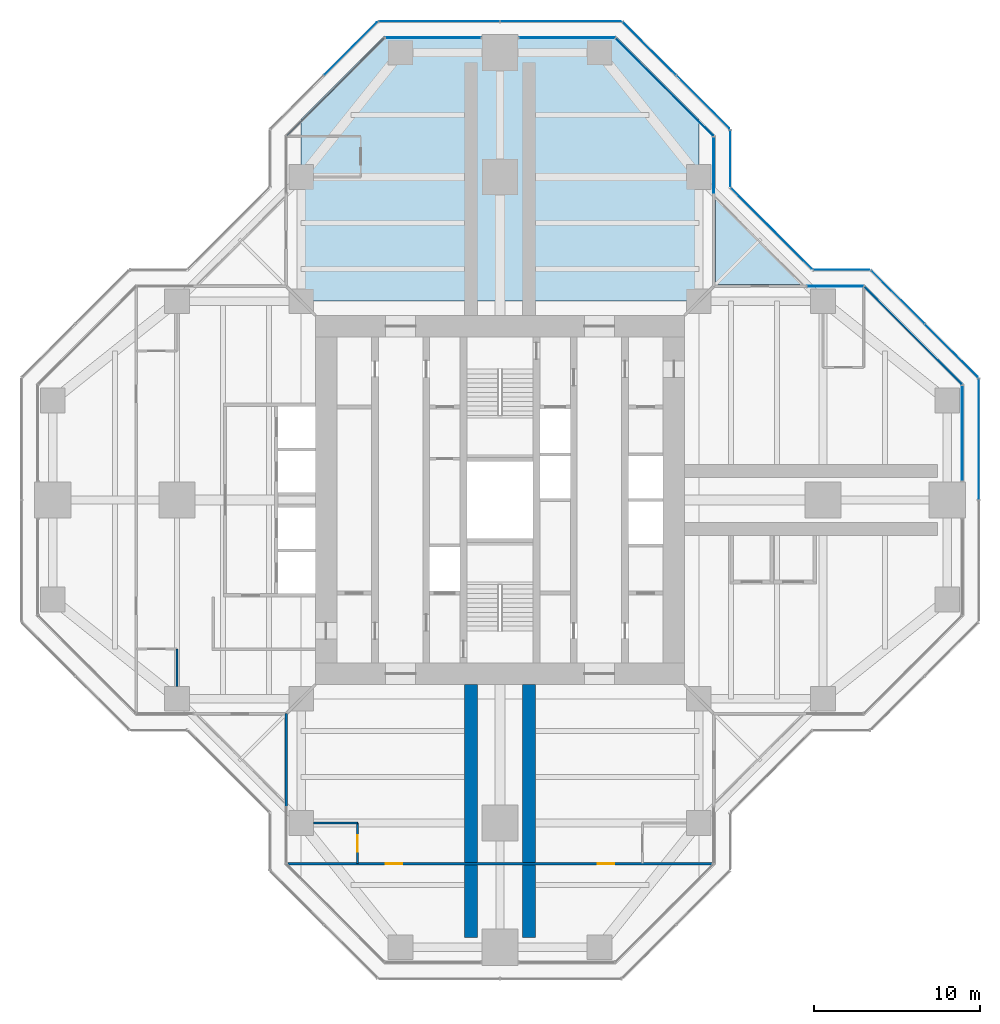
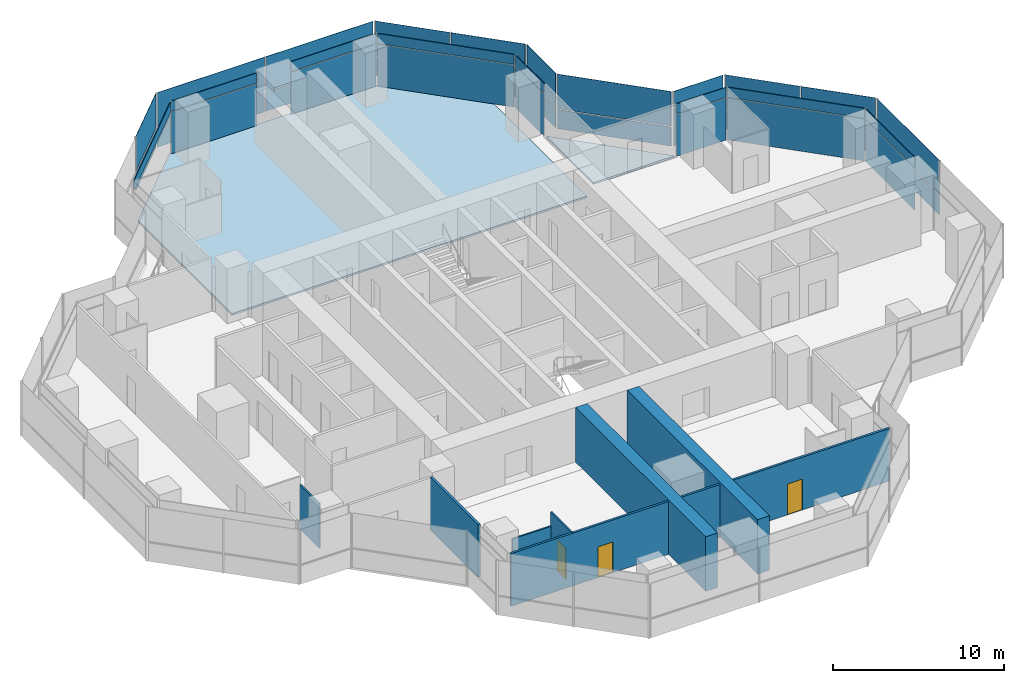
# One storey, part 12 of 17: 37 plates, 7 walls, 3 doors, 2 slabs, 3 openings, 16 elements without a shape of their own.
"""IFC4 building model written with IfcOpenShell, lengths in metres."""

from ifc_helpers import new_model, si_unit, direction, frame, frame_2d, origin, origin_2d, place, context, subcontext, project, spatial, polyline, rectangle, outline, extrude, material, layer, layer_set, type_object, element, fill, aggregate, save


model = new_model("IFC4")

# Units and contexts
model_context = context("Model", 3, precision=1e-05, world=origin(), true_north=direction((0.0, 1.0)))
body_context = subcontext(model_context, "Body", "Model", "MODEL_VIEW")
ifc_project = project(units=[si_unit("LENGTHUNIT", "METRE"), si_unit("AREAUNIT", "SQUARE_METRE"), si_unit("VOLUMEUNIT", "CUBIC_METRE"), si_unit("PLANEANGLEUNIT", "RADIAN"), si_unit("MASSUNIT", "GRAM", prefix="KILO")], contexts=[model_context])

# Site, building, storey
site_placement = place(None, origin())
site = spatial("IfcSite", under=ifc_project, at=site_placement, CompositionType="ELEMENT")
building_placement = place(site_placement, origin())
building = spatial("IfcBuilding", under=site, at=building_placement, Name="Mizan Broadcast Tower", CompositionType="ELEMENT")
storey_placement = place(building_placement, frame((0.0, 0.0, 243.89990234375)))
storey = spatial("IfcBuildingStorey", under=building, at=storey_placement, Name="L57", CompositionType="ELEMENT", Elevation=243.89990234375)

# Slab
ifc_material_1 = material(Name="Concrete C32/40", Category="concrete")
ifc_layer_1 = layer(ifc_material_1, 0.1298828125)
ifc_layer_set_1 = layer_set([ifc_layer_1], Name="Concrete C32/40")
slab_type_1 = type_object("IfcSlabType", Name="COMPOSITE DECK SLAB 130", PredefinedType="FLOOR", material=ifc_layer_set_1)
slab_1_placement = place(storey_placement, frame((0.0, 0.0, -0.1298828125)))
element("IfcSlab", 1, at=slab_1_placement, inside=storey, type_object=slab_type_1, Name="Floor slab L57 north arm", PredefinedType="FLOOR", context=body_context, shape_type="SweptSolid", body=[
    extrude(outline(polyline([(-7.0, 28.0), (-12.0, 23.0), (-12.0, 12.0), (12.0, 12.0), (12.0, 23.0), (7.0, 28.0), (-7.0, 28.0)])), origin(), (0.0, 0.0, 1.0), 0.1298828125),
])

# Curtain wall, plate
ifc_material_2 = material(Name="Aluminium framed glazing", Category="aluminium")
curtain_wall_type_1 = type_object("IfcCurtainWallType", Name="INNER SKIN HIGH ZONE", PredefinedType="USERDEFINED", material=ifc_material_2)
curtain_wall_1_placement = place(storey_placement, origin())
curtain_wall_1 = element("IfcCurtainWall", 2, at=curtain_wall_1_placement, inside=storey, type_object=curtain_wall_type_1, Name="Inner skin high zone L57 E end", ObjectType="INNER SKIN HIGH ZONE", PredefinedType="USERDEFINED")
ifc_material_3 = material(Name="Double glazing, clear low-e", Category="glass")
ifc_layer_2 = layer(ifc_material_3, 0.028076171875)
ifc_layer_set_2 = layer_set([ifc_layer_2], Name="Double glazing, clear low-e")
plate_type_1 = type_object("IfcPlateType", Name="INNER SKIN GLAZING UNIT", PredefinedType="CURTAIN_PANEL", material=ifc_layer_set_2)
plate_1_placement = place(storey_placement, frame((27.89990234375, 4.029296875, 0.0), z_axis=(0.0, 0.0, 1.0), x_axis=(0.0, 1.0, 0.0)))
plate_1 = element("IfcPlate", 3, at=plate_1_placement, type_object=plate_type_1, Name="Inner skin high zone L57 E end panel 1.1", PredefinedType="CURTAIN_PANEL", context=body_context, shape_type="SweptSolid", body=[
    extrude(rectangle(XDim=5.738525390625, YDim=0.028076171875, at=origin_2d()), origin(), (0.0, 0.0, 1.0), 3.0),
])

curtain_wall_2_placement = place(storey_placement, origin())
curtain_wall_2 = element("IfcCurtainWall", 4, at=curtain_wall_2_placement, inside=storey, type_object=curtain_wall_type_1, Name="Inner skin high zone L57 E chamfer", ObjectType="INNER SKIN HIGH ZONE", PredefinedType="USERDEFINED")
plate_2_placement = place(storey_placement, frame((24.92919921875, 9.92919921875, 0.0), z_axis=(0.0, 0.0, 1.0), x_axis=(-0.707106781187, 0.707106781187, 0.0)))
plate_2 = element("IfcPlate", 5, at=plate_2_placement, type_object=plate_type_1, Name="Inner skin high zone L57 E chamfer panel 1.1", PredefinedType="CURTAIN_PANEL", context=body_context, shape_type="SweptSolid", body=[
    extrude(rectangle(XDim=8.282470703125, YDim=0.028076171875, at=origin_2d()), origin(), (0.0, 0.0, 1.0), 3.0),
])

curtain_wall_3_placement = place(storey_placement, origin())
curtain_wall_3 = element("IfcCurtainWall", 6, at=curtain_wall_3_placement, inside=storey, type_object=curtain_wall_type_1, Name="Inner skin high zone L57 E side", ObjectType="INNER SKIN HIGH ZONE", PredefinedType="USERDEFINED")
plate_3_placement = place(storey_placement, frame((20.229248046875, 12.89990234375, 0.0), z_axis=(0.0, 0.0, 1.0), x_axis=(-1.0, 0.0, 0.0)))
plate_3 = element("IfcPlate", 7, at=plate_3_placement, type_object=plate_type_1, Name="Inner skin high zone L57 E side panel 1.1", PredefinedType="CURTAIN_PANEL", context=body_context, shape_type="SweptSolid", body=[
    extrude(rectangle(XDim=3.338623046875, YDim=0.028076171875, at=origin_2d()), origin(), (0.0, 0.0, 1.0), 3.0),
])

curtain_wall_4_placement = place(storey_placement, origin())
curtain_wall_4 = element("IfcCurtainWall", 8, at=curtain_wall_4_placement, inside=storey, type_object=curtain_wall_type_1, Name="Inner skin high zone L57 N side", ObjectType="INNER SKIN HIGH ZONE", PredefinedType="USERDEFINED")
plate_4_placement = place(storey_placement, frame((12.89990234375, 20.229248046875, 0.0), z_axis=(0.0, 0.0, 1.0), x_axis=(0.0, 1.0, 0.0)))
plate_4 = element("IfcPlate", 9, at=plate_4_placement, type_object=plate_type_1, Name="Inner skin high zone L57 N side panel 1.1", PredefinedType="CURTAIN_PANEL", context=body_context, shape_type="SweptSolid", body=[
    extrude(rectangle(XDim=3.338623046875, YDim=0.028076171875, at=origin_2d()), origin(), (0.0, 0.0, 1.0), 3.0),
])

curtain_wall_5_placement = place(storey_placement, origin())
curtain_wall_5 = element("IfcCurtainWall", 10, at=curtain_wall_5_placement, inside=storey, type_object=curtain_wall_type_1, Name="Inner skin high zone L57 N chamfer", ObjectType="INNER SKIN HIGH ZONE", PredefinedType="USERDEFINED")
plate_5_placement = place(storey_placement, frame((9.92919921875, 24.92919921875, 0.0), z_axis=(0.0, 0.0, 1.0), x_axis=(-0.707106781187, 0.707106781187, 0.0)))
plate_5 = element("IfcPlate", 11, at=plate_5_placement, type_object=plate_type_1, Name="Inner skin high zone L57 N chamfer panel 1.1", PredefinedType="CURTAIN_PANEL", context=body_context, shape_type="SweptSolid", body=[
    extrude(rectangle(XDim=8.282470703125, YDim=0.028076171875, at=origin_2d()), origin(), (0.0, 0.0, 1.0), 3.0),
])

curtain_wall_6_placement = place(storey_placement, origin())
curtain_wall_6 = element("IfcCurtainWall", 12, at=curtain_wall_6_placement, inside=storey, type_object=curtain_wall_type_1, Name="Inner skin high zone L57 N end", ObjectType="INNER SKIN HIGH ZONE", PredefinedType="USERDEFINED")
plate_6_placement = place(storey_placement, frame((4.029296875, 27.89990234375, 0.0), z_axis=(0.0, 0.0, 1.0), x_axis=(-1.0, 0.0, 0.0)))
plate_6 = element("IfcPlate", 13, at=plate_6_placement, type_object=plate_type_1, Name="Inner skin high zone L57 N end panel 1.1", PredefinedType="CURTAIN_PANEL", context=body_context, shape_type="SweptSolid", body=[
    extrude(rectangle(XDim=5.738525390625, YDim=0.028076171875, at=origin_2d()), origin(), (0.0, 0.0, 1.0), 3.0),
])

curtain_wall_7_placement = place(storey_placement, origin())
curtain_wall_7 = element("IfcCurtainWall", 14, at=curtain_wall_7_placement, inside=storey, type_object=curtain_wall_type_1, Name="Inner skin high zone L57 N end", ObjectType="INNER SKIN HIGH ZONE", PredefinedType="USERDEFINED")
plate_7_placement = place(storey_placement, frame((-4.029296875, 27.89990234375, 0.0), z_axis=(0.0, 0.0, 1.0), x_axis=(-1.0, 0.0, 0.0)))
plate_7 = element("IfcPlate", 15, at=plate_7_placement, type_object=plate_type_1, Name="Inner skin high zone L57 N end panel 1.1", PredefinedType="CURTAIN_PANEL", context=body_context, shape_type="SweptSolid", body=[
    extrude(rectangle(XDim=5.738525390625, YDim=0.028076171875, at=origin_2d()), origin(), (0.0, 0.0, 1.0), 3.0),
])

# Plate
ifc_material_4 = material(Name="Insulated aluminium spandrel panel, pale anodised", Category="aluminium")
ifc_layer_3 = layer(ifc_material_4, 0.050048828125)
ifc_layer_set_3 = layer_set([ifc_layer_3], Name="Insulated aluminium spandrel panel, pale anodised")
plate_type_2 = type_object("IfcPlateType", Name="INNER SKIN SPANDREL PANEL", PredefinedType="CURTAIN_PANEL", material=ifc_layer_set_3)
plate_8_placement = place(storey_placement, frame((27.89990234375, 4.029296875, 3.06005859375), z_axis=(0.0, 0.0, 1.0), x_axis=(0.0, 1.0, 0.0)))
plate_8 = element("IfcPlate", 16, at=plate_8_placement, type_object=plate_type_2, Name="Inner skin high zone L57 E end panel 1.2", PredefinedType="CURTAIN_PANEL", context=body_context, shape_type="SweptSolid", body=[
    extrude(rectangle(XDim=5.738525390625, YDim=0.050048828125, at=origin_2d()), origin(), (0.0, 0.0, 1.0), 0.7099609375),
])

aggregate(curtain_wall_1, [plate_1, plate_8])

plate_9_placement = place(storey_placement, frame((24.92919921875, 9.92919921875, 3.06005859375), z_axis=(0.0, 0.0, 1.0), x_axis=(-0.707106781187, 0.707106781187, 0.0)))
plate_9 = element("IfcPlate", 17, at=plate_9_placement, type_object=plate_type_2, Name="Inner skin high zone L57 E chamfer panel 1.2", PredefinedType="CURTAIN_PANEL", context=body_context, shape_type="SweptSolid", body=[
    extrude(rectangle(XDim=8.282470703125, YDim=0.050048828125, at=origin_2d()), origin(), (0.0, 0.0, 1.0), 0.7099609375),
])

aggregate(curtain_wall_2, [plate_2, plate_9])

plate_10_placement = place(storey_placement, frame((20.229248046875, 12.89990234375, 3.06005859375), z_axis=(0.0, 0.0, 1.0), x_axis=(-1.0, 0.0, 0.0)))
plate_10 = element("IfcPlate", 18, at=plate_10_placement, type_object=plate_type_2, Name="Inner skin high zone L57 E side panel 1.2", PredefinedType="CURTAIN_PANEL", context=body_context, shape_type="SweptSolid", body=[
    extrude(rectangle(XDim=3.338623046875, YDim=0.050048828125, at=origin_2d()), origin(), (0.0, 0.0, 1.0), 0.7099609375),
])

aggregate(curtain_wall_3, [plate_3, plate_10])

plate_11_placement = place(storey_placement, frame((12.89990234375, 20.229248046875, 3.06005859375), z_axis=(0.0, 0.0, 1.0), x_axis=(0.0, 1.0, 0.0)))
plate_11 = element("IfcPlate", 19, at=plate_11_placement, type_object=plate_type_2, Name="Inner skin high zone L57 N side panel 1.2", PredefinedType="CURTAIN_PANEL", context=body_context, shape_type="SweptSolid", body=[
    extrude(rectangle(XDim=3.338623046875, YDim=0.050048828125, at=origin_2d()), origin(), (0.0, 0.0, 1.0), 0.7099609375),
])

aggregate(curtain_wall_4, [plate_4, plate_11])

plate_12_placement = place(storey_placement, frame((9.92919921875, 24.92919921875, 3.06005859375), z_axis=(0.0, 0.0, 1.0), x_axis=(-0.707106781187, 0.707106781187, 0.0)))
plate_12 = element("IfcPlate", 20, at=plate_12_placement, type_object=plate_type_2, Name="Inner skin high zone L57 N chamfer panel 1.2", PredefinedType="CURTAIN_PANEL", context=body_context, shape_type="SweptSolid", body=[
    extrude(rectangle(XDim=8.282470703125, YDim=0.050048828125, at=origin_2d()), origin(), (0.0, 0.0, 1.0), 0.7099609375),
])

aggregate(curtain_wall_5, [plate_5, plate_12])

plate_13_placement = place(storey_placement, frame((4.029296875, 27.89990234375, 3.06005859375), z_axis=(0.0, 0.0, 1.0), x_axis=(-1.0, 0.0, 0.0)))
plate_13 = element("IfcPlate", 21, at=plate_13_placement, type_object=plate_type_2, Name="Inner skin high zone L57 N end panel 1.2", PredefinedType="CURTAIN_PANEL", context=body_context, shape_type="SweptSolid", body=[
    extrude(rectangle(XDim=5.738525390625, YDim=0.050048828125, at=origin_2d()), origin(), (0.0, 0.0, 1.0), 0.7099609375),
])

aggregate(curtain_wall_6, [plate_6, plate_13])

plate_14_placement = place(storey_placement, frame((-4.029296875, 27.89990234375, 3.06005859375), z_axis=(0.0, 0.0, 1.0), x_axis=(-1.0, 0.0, 0.0)))
plate_14 = element("IfcPlate", 22, at=plate_14_placement, type_object=plate_type_2, Name="Inner skin high zone L57 N end panel 1.2", PredefinedType="CURTAIN_PANEL", context=body_context, shape_type="SweptSolid", body=[
    extrude(rectangle(XDim=5.738525390625, YDim=0.050048828125, at=origin_2d()), origin(), (0.0, 0.0, 1.0), 0.7099609375),
])

aggregate(curtain_wall_7, [plate_7, plate_14])

# Curtain wall, plate
curtain_wall_8_placement = place(storey_placement, origin())
curtain_wall_8 = element("IfcCurtainWall", 23, at=curtain_wall_8_placement, inside=storey, type_object=curtain_wall_type_1, Name="Inner skin high zone L57 N chamfer", ObjectType="INNER SKIN HIGH ZONE", PredefinedType="USERDEFINED")
plate_15_placement = place(storey_placement, frame((-9.92919921875, 24.92919921875, 3.06005859375), z_axis=(0.0, 0.0, 1.0), x_axis=(-0.707106781187, -0.707106781187, 0.0)))
plate_15 = element("IfcPlate", 24, at=plate_15_placement, type_object=plate_type_2, Name="Inner skin high zone L57 N chamfer panel 1.2", PredefinedType="CURTAIN_PANEL", context=body_context, shape_type="SweptSolid", body=[
    extrude(rectangle(XDim=8.282470703125, YDim=0.050048828125, at=origin_2d()), origin(), (0.0, 0.0, 1.0), 0.7099609375),
])
aggregate(curtain_wall_8, [plate_15])

# Curtain wall, plates
ifc_material_5 = material(Name="Aluminium framed glazing", Category="aluminium")
curtain_wall_type_2 = type_object("IfcCurtainWallType", Name="OUTER SKIN", PredefinedType="USERDEFINED", material=ifc_material_5)
curtain_wall_9_placement = place(storey_placement, origin())
curtain_wall_9 = element("IfcCurtainWall", 25, at=curtain_wall_9_placement, inside=storey, type_object=curtain_wall_type_2, Name="Outer skin L57 E chamfer", ObjectType="OUTER SKIN", PredefinedType="USERDEFINED")
ifc_material_6 = material(Name="Laminated clear glass", Category="glass")
ifc_layer_4 = layer(ifc_material_6, 0.02001953125)
ifc_layer_set_4 = layer_set([ifc_layer_4], Name="Laminated clear glass")
plate_type_3 = type_object("IfcPlateType", Name="OUTER SKIN CLEAR GLASS", PredefinedType="CURTAIN_PANEL", material=ifc_layer_set_4)
plate_16_placement = place(storey_placement, frame((27.254150390625, 9.018798828125, 0.0), z_axis=(0.0, 0.0, 1.0), x_axis=(-0.707106781187, 0.707106781187, 0.0)))
plate_16 = element("IfcPlate", 26, at=plate_16_placement, type_object=plate_type_3, Name="Outer skin L57 E chamfer panel 1.1", PredefinedType="CURTAIN_PANEL", context=body_context, shape_type="SweptSolid", body=[
    extrude(rectangle(XDim=4.495361328125, YDim=0.02001953125, at=origin_2d()), origin(), (0.0, 0.0, 1.0), 1.3701171875),
])
plate_17_placement = place(storey_placement, frame((27.254150390625, 9.018798828125, 1.43017578125), z_axis=(0.0, 0.0, 1.0), x_axis=(-0.707106781187, 0.707106781187, 0.0)))
plate_17 = element("IfcPlate", 27, at=plate_17_placement, type_object=plate_type_3, Name="Outer skin L57 E chamfer panel 1.2", PredefinedType="CURTAIN_PANEL", context=body_context, shape_type="SweptSolid", body=[
    extrude(rectangle(XDim=4.495361328125, YDim=0.02001953125, at=origin_2d()), origin(), (0.0, 0.0, 1.0), 2.469970703125),
])

curtain_wall_10_placement = place(storey_placement, origin())
curtain_wall_10 = element("IfcCurtainWall", 28, at=curtain_wall_10_placement, inside=storey, type_object=curtain_wall_type_2, Name="Outer skin L57 E side", ObjectType="OUTER SKIN", PredefinedType="USERDEFINED")
plate_18_placement = place(storey_placement, frame((20.622802734375, 13.89990234375, 0.0), z_axis=(0.0, 0.0, 1.0), x_axis=(-1.0, 0.0, 0.0)))
plate_18 = element("IfcPlate", 29, at=plate_18_placement, type_object=plate_type_3, Name="Outer skin L57 E side panel 1.1", PredefinedType="CURTAIN_PANEL", context=body_context, shape_type="SweptSolid", body=[
    extrude(rectangle(XDim=3.340087890625, YDim=0.02001953125, at=origin_2d()), origin(), (0.0, 0.0, 1.0), 1.3701171875),
])
plate_19_placement = place(storey_placement, frame((20.622802734375, 13.89990234375, 1.43017578125), z_axis=(0.0, 0.0, 1.0), x_axis=(-1.0, 0.0, 0.0)))
plate_19 = element("IfcPlate", 30, at=plate_19_placement, type_object=plate_type_3, Name="Outer skin L57 E side panel 1.2", PredefinedType="CURTAIN_PANEL", context=body_context, shape_type="SweptSolid", body=[
    extrude(rectangle(XDim=3.340087890625, YDim=0.02001953125, at=origin_2d()), origin(), (0.0, 0.0, 1.0), 2.469970703125),
])
aggregate(curtain_wall_10, [plate_18, plate_19])

curtain_wall_11_placement = place(storey_placement, origin())
curtain_wall_11 = element("IfcCurtainWall", 31, at=curtain_wall_11_placement, inside=storey, type_object=curtain_wall_type_2, Name="Outer skin L57 E chamfer", ObjectType="OUTER SKIN", PredefinedType="USERDEFINED")
plate_20_placement = place(storey_placement, frame((16.386474609375, 16.386474609375, 0.0), z_axis=(0.0, 0.0, 1.0), x_axis=(-0.707106781187, 0.707106781187, 0.0)))
plate_20 = element("IfcPlate", 32, at=plate_20_placement, type_object=plate_type_3, Name="Outer skin L57 E chamfer panel 1.1", PredefinedType="CURTAIN_PANEL", context=body_context, shape_type="SweptSolid", body=[
    extrude(rectangle(XDim=6.87255859375, YDim=0.02001953125, at=origin_2d()), origin(), (0.0, 0.0, 1.0), 1.3701171875),
])
plate_21_placement = place(storey_placement, frame((16.386474609375, 16.386474609375, 1.43017578125), z_axis=(0.0, 0.0, 1.0), x_axis=(-0.707106781187, 0.707106781187, 0.0)))
plate_21 = element("IfcPlate", 33, at=plate_21_placement, type_object=plate_type_3, Name="Outer skin L57 E chamfer panel 1.2", PredefinedType="CURTAIN_PANEL", context=body_context, shape_type="SweptSolid", body=[
    extrude(rectangle(XDim=6.87255859375, YDim=0.02001953125, at=origin_2d()), origin(), (0.0, 0.0, 1.0), 2.469970703125),
])
aggregate(curtain_wall_11, [plate_20, plate_21])

curtain_wall_12_placement = place(storey_placement, origin())
curtain_wall_12 = element("IfcCurtainWall", 34, at=curtain_wall_12_placement, inside=storey, type_object=curtain_wall_type_2, Name="Outer skin L57 N side", ObjectType="OUTER SKIN", PredefinedType="USERDEFINED")
plate_22_placement = place(storey_placement, frame((13.89990234375, 20.622802734375, 0.0), z_axis=(0.0, 0.0, 1.0), x_axis=(0.0, 1.0, 0.0)))
plate_22 = element("IfcPlate", 35, at=plate_22_placement, type_object=plate_type_3, Name="Outer skin L57 N side panel 1.1", PredefinedType="CURTAIN_PANEL", context=body_context, shape_type="SweptSolid", body=[
    extrude(rectangle(XDim=3.340087890625, YDim=0.02001953125, at=origin_2d()), origin(), (0.0, 0.0, 1.0), 1.3701171875),
])
plate_23_placement = place(storey_placement, frame((13.89990234375, 20.622802734375, 1.43017578125), z_axis=(0.0, 0.0, 1.0), x_axis=(0.0, 1.0, 0.0)))
plate_23 = element("IfcPlate", 36, at=plate_23_placement, type_object=plate_type_3, Name="Outer skin L57 N side panel 1.2", PredefinedType="CURTAIN_PANEL", context=body_context, shape_type="SweptSolid", body=[
    extrude(rectangle(XDim=3.340087890625, YDim=0.02001953125, at=origin_2d()), origin(), (0.0, 0.0, 1.0), 2.469970703125),
])
aggregate(curtain_wall_12, [plate_22, plate_23])

curtain_wall_13_placement = place(storey_placement, origin())
curtain_wall_13 = element("IfcCurtainWall", 37, at=curtain_wall_13_placement, inside=storey, type_object=curtain_wall_type_2, Name="Outer skin L57 N chamfer", ObjectType="OUTER SKIN", PredefinedType="USERDEFINED")
plate_24_placement = place(storey_placement, frame((12.254150390625, 24.018798828125, 0.0), z_axis=(0.0, 0.0, 1.0), x_axis=(-0.707106781187, 0.707106781187, 0.0)))
plate_24 = element("IfcPlate", 38, at=plate_24_placement, type_object=plate_type_3, Name="Outer skin L57 N chamfer panel 1.1", PredefinedType="CURTAIN_PANEL", context=body_context, shape_type="SweptSolid", body=[
    extrude(rectangle(XDim=4.495361328125, YDim=0.02001953125, at=origin_2d()), origin(), (0.0, 0.0, 1.0), 1.3701171875),
])
plate_25_placement = place(storey_placement, frame((12.254150390625, 24.018798828125, 1.43017578125), z_axis=(0.0, 0.0, 1.0), x_axis=(-0.707106781187, 0.707106781187, 0.0)))
plate_25 = element("IfcPlate", 39, at=plate_25_placement, type_object=plate_type_3, Name="Outer skin L57 N chamfer panel 1.2", PredefinedType="CURTAIN_PANEL", context=body_context, shape_type="SweptSolid", body=[
    extrude(rectangle(XDim=4.495361328125, YDim=0.02001953125, at=origin_2d()), origin(), (0.0, 0.0, 1.0), 2.469970703125),
])

curtain_wall_14_placement = place(storey_placement, origin())
curtain_wall_14 = element("IfcCurtainWall", 40, at=curtain_wall_14_placement, inside=storey, type_object=curtain_wall_type_2, Name="Outer skin L57 N end", ObjectType="OUTER SKIN", PredefinedType="USERDEFINED")
plate_26_placement = place(storey_placement, frame((3.66650390625, 28.89990234375, 0.0), z_axis=(0.0, 0.0, 1.0), x_axis=(-1.0, 0.0, 0.0)))
plate_26 = element("IfcPlate", 41, at=plate_26_placement, type_object=plate_type_3, Name="Outer skin L57 N end panel 1.1", PredefinedType="CURTAIN_PANEL", context=body_context, shape_type="SweptSolid", body=[
    extrude(rectangle(XDim=7.252685546875, YDim=0.02001953125, at=origin_2d()), origin(), (0.0, 0.0, 1.0), 1.3701171875),
])
plate_27_placement = place(storey_placement, frame((3.66650390625, 28.89990234375, 1.43017578125), z_axis=(0.0, 0.0, 1.0), x_axis=(-1.0, 0.0, 0.0)))
plate_27 = element("IfcPlate", 42, at=plate_27_placement, type_object=plate_type_3, Name="Outer skin L57 N end panel 1.2", PredefinedType="CURTAIN_PANEL", context=body_context, shape_type="SweptSolid", body=[
    extrude(rectangle(XDim=7.252685546875, YDim=0.02001953125, at=origin_2d()), origin(), (0.0, 0.0, 1.0), 2.469970703125),
])
plate_28_placement = place(storey_placement, frame((-3.66650390625, 28.89990234375, 0.0), z_axis=(0.0, 0.0, 1.0), x_axis=(-1.0, 0.0, 0.0)))
plate_28 = element("IfcPlate", 43, at=plate_28_placement, type_object=plate_type_3, Name="Outer skin L57 N end panel 2.1", PredefinedType="CURTAIN_PANEL", context=body_context, shape_type="SweptSolid", body=[
    extrude(rectangle(XDim=7.252685546875, YDim=0.02001953125, at=origin_2d()), origin(), (0.0, 0.0, 1.0), 1.3701171875),
])
plate_29_placement = place(storey_placement, frame((-3.66650390625, 28.89990234375, 1.43017578125), z_axis=(0.0, 0.0, 1.0), x_axis=(-1.0, 0.0, 0.0)))
plate_29 = element("IfcPlate", 44, at=plate_29_placement, type_object=plate_type_3, Name="Outer skin L57 N end panel 2.2", PredefinedType="CURTAIN_PANEL", context=body_context, shape_type="SweptSolid", body=[
    extrude(rectangle(XDim=7.252685546875, YDim=0.02001953125, at=origin_2d()), origin(), (0.0, 0.0, 1.0), 2.469970703125),
])
aggregate(curtain_wall_14, [plate_26, plate_27, plate_28, plate_29])

curtain_wall_15_placement = place(storey_placement, origin())
curtain_wall_15 = element("IfcCurtainWall", 45, at=curtain_wall_15_placement, inside=storey, type_object=curtain_wall_type_2, Name="Outer skin L57 N chamfer", ObjectType="OUTER SKIN", PredefinedType="USERDEFINED")
plate_30_placement = place(storey_placement, frame((-9.018798828125, 27.254150390625, 0.0), z_axis=(0.0, 0.0, 1.0), x_axis=(-0.707106781187, -0.707106781187, 0.0)))
plate_30 = element("IfcPlate", 46, at=plate_30_placement, type_object=plate_type_3, Name="Outer skin L57 N chamfer panel 1.1", PredefinedType="CURTAIN_PANEL", context=body_context, shape_type="SweptSolid", body=[
    extrude(rectangle(XDim=4.495361328125, YDim=0.02001953125, at=origin_2d()), origin(), (0.0, 0.0, 1.0), 1.3701171875),
])
plate_31_placement = place(storey_placement, frame((-9.018798828125, 27.254150390625, 1.43017578125), z_axis=(0.0, 0.0, 1.0), x_axis=(-0.707106781187, -0.707106781187, 0.0)))
plate_31 = element("IfcPlate", 47, at=plate_31_placement, type_object=plate_type_3, Name="Outer skin L57 N chamfer panel 1.2", PredefinedType="CURTAIN_PANEL", context=body_context, shape_type="SweptSolid", body=[
    extrude(rectangle(XDim=4.495361328125, YDim=0.02001953125, at=origin_2d()), origin(), (0.0, 0.0, 1.0), 2.469970703125),
])
aggregate(curtain_wall_15, [plate_30, plate_31])

curtain_wall_16_placement = place(storey_placement, origin())
curtain_wall_16 = element("IfcCurtainWall", 48, at=curtain_wall_16_placement, inside=storey, type_object=curtain_wall_type_2, Name="Outer skin L57 E end", ObjectType="OUTER SKIN", PredefinedType="USERDEFINED")
ifc_material_7 = material(Name="Perforated aluminium, pale anodised", Category="aluminium")
ifc_layer_5 = layer(ifc_material_7, 0.011962890625)
ifc_layer_set_5 = layer_set([ifc_layer_5], Name="Perforated aluminium, pale anodised")
plate_type_4 = type_object("IfcPlateType", Name="OUTER SKIN PERFORATED SCREEN", PredefinedType="USERDEFINED", material=ifc_layer_set_5)
plate_32_placement = place(storey_placement, frame((28.89990234375, 3.66650390625, 0.0), z_axis=(0.0, 0.0, 1.0), x_axis=(0.0, 1.0, 0.0)))
plate_32 = element("IfcPlate", 49, at=plate_32_placement, type_object=plate_type_4, Name="Outer skin L57 E end panel 2.1", ObjectType="SCREEN", PredefinedType="USERDEFINED", context=body_context, shape_type="SweptSolid", body=[
    extrude(rectangle(XDim=7.252685546875, YDim=0.011962890625, at=origin_2d()), origin(), (0.0, 0.0, 1.0), 1.3701171875),
])
plate_33_placement = place(storey_placement, frame((28.89990234375, 3.66650390625, 1.43017578125), z_axis=(0.0, 0.0, 1.0), x_axis=(0.0, 1.0, 0.0)))
plate_33 = element("IfcPlate", 50, at=plate_33_placement, type_object=plate_type_4, Name="Outer skin L57 E end panel 2.2", ObjectType="SCREEN", PredefinedType="USERDEFINED", context=body_context, shape_type="SweptSolid", body=[
    extrude(rectangle(XDim=7.252685546875, YDim=0.011962890625, at=origin_2d()), origin(), (0.0, 0.0, 1.0), 2.469970703125),
])
aggregate(curtain_wall_16, [plate_32, plate_33])

# Plate
plate_34_placement = place(storey_placement, frame((24.018798828125, 12.254150390625, 0.0), z_axis=(0.0, 0.0, 1.0), x_axis=(-0.707106781187, 0.707106781187, 0.0)))
plate_34 = element("IfcPlate", 51, at=plate_34_placement, type_object=plate_type_4, Name="Outer skin L57 E chamfer panel 2.1", ObjectType="SCREEN", PredefinedType="USERDEFINED", context=body_context, shape_type="SweptSolid", body=[
    extrude(rectangle(XDim=4.495361328125, YDim=0.011962890625, at=origin_2d()), origin(), (0.0, 0.0, 1.0), 1.3701171875),
])

plate_35_placement = place(storey_placement, frame((24.018798828125, 12.254150390625, 1.43017578125), z_axis=(0.0, 0.0, 1.0), x_axis=(-0.707106781187, 0.707106781187, 0.0)))
plate_35 = element("IfcPlate", 52, at=plate_35_placement, type_object=plate_type_4, Name="Outer skin L57 E chamfer panel 2.2", ObjectType="SCREEN", PredefinedType="USERDEFINED", context=body_context, shape_type="SweptSolid", body=[
    extrude(rectangle(XDim=4.495361328125, YDim=0.011962890625, at=origin_2d()), origin(), (0.0, 0.0, 1.0), 2.469970703125),
])

aggregate(curtain_wall_9, [plate_16, plate_17, plate_34, plate_35])

plate_36_placement = place(storey_placement, frame((9.018798828125, 27.254150390625, 0.0), z_axis=(0.0, 0.0, 1.0), x_axis=(-0.707106781187, 0.707106781187, 0.0)))
plate_36 = element("IfcPlate", 53, at=plate_36_placement, type_object=plate_type_4, Name="Outer skin L57 N chamfer panel 2.1", ObjectType="SCREEN", PredefinedType="USERDEFINED", context=body_context, shape_type="SweptSolid", body=[
    extrude(rectangle(XDim=4.495361328125, YDim=0.011962890625, at=origin_2d()), origin(), (0.0, 0.0, 1.0), 1.3701171875),
])

plate_37_placement = place(storey_placement, frame((9.018798828125, 27.254150390625, 1.43017578125), z_axis=(0.0, 0.0, 1.0), x_axis=(-0.707106781187, 0.707106781187, 0.0)))
plate_37 = element("IfcPlate", 54, at=plate_37_placement, type_object=plate_type_4, Name="Outer skin L57 N chamfer panel 2.2", ObjectType="SCREEN", PredefinedType="USERDEFINED", context=body_context, shape_type="SweptSolid", body=[
    extrude(rectangle(XDim=4.495361328125, YDim=0.011962890625, at=origin_2d()), origin(), (0.0, 0.0, 1.0), 2.469970703125),
])

aggregate(curtain_wall_13, [plate_24, plate_25, plate_36, plate_37])

# Slab
ifc_material_8 = material(Name="Concrete C32/40", Category="concrete")
ifc_layer_6 = layer(ifc_material_8, 0.1298828125)
ifc_layer_set_6 = layer_set([ifc_layer_6], Name="Concrete C32/40")
slab_type_2 = type_object("IfcSlabType", Name="WINTER GARDEN SLAB 130", PredefinedType="FLOOR", material=ifc_layer_set_6)
slab_2_placement = place(storey_placement, frame((0.0, 0.0, -0.1298828125)))
element("IfcSlab", 55, at=slab_2_placement, inside=storey, type_object=slab_type_2, Name="Winter garden slab L57 E", PredefinedType="FLOOR", context=body_context, shape_type="SweptSolid", body=[
    extrude(outline(polyline([(13.0, 13.0), (18.5, 13.0), (13.0, 18.5), (13.0, 13.0)])), origin(), (0.0, 0.0, 1.0), 0.1298828125),
])

# Wall
ifc_material_9 = material(Name="Aluminium framed glazed screen", Category="aluminium")
ifc_layer_7 = layer(ifc_material_9, 0.159912109375)
ifc_layer_set_7 = layer_set([ifc_layer_7], Name="Aluminium framed glazed screen")
wall_type_1 = type_object("IfcWallType", Name="GLAZED SCREEN WALL 160", PredefinedType="SOLIDWALL", material=ifc_layer_set_7)
wall_1_placement = place(storey_placement, frame((-12.89990234375, -12.89990234375, 0.0), z_axis=(0.0, 0.0, 1.0), x_axis=(0.0, -1.0, 0.0)))
element("IfcWall", 56, at=wall_1_placement, inside=storey, type_object=wall_type_1, Name="Winter garden screen L57 S", PredefinedType="SOLIDWALL", context=body_context, shape_type="SweptSolid", body=[
    extrude(rectangle(XDim=5.60009765625, YDim=0.159912109375, at=frame_2d((2.800048828125, 0.0))), origin(), (0.0, 0.0, 1.0), 3.77001953125),
])

# Wall, openings, doors
ifc_material_10 = material(Name="Gypsum board on steel studs", Category="steel")
ifc_layer_8 = layer(ifc_material_10, 0.14990234375)
ifc_layer_set_8 = layer_set([ifc_layer_8], Name="Gypsum board on steel studs")
wall_type_2 = type_object("IfcWallType", Name="PARTITION 150", PredefinedType="PARTITIONING", material=ifc_layer_set_8)
wall_2_placement = place(storey_placement, frame((-12.786376953125, -21.958984375, 0.0), z_axis=(0.0, 0.0, 1.0), x_axis=(1.0, 0.0, 0.0)))
wall_2 = element("IfcWall", 57, at=wall_2_placement, inside=storey, type_object=wall_type_2, Name="Partition PT/SX1", PredefinedType="PARTITIONING", context=body_context, shape_type="SweptSolid", body=[
    extrude(rectangle(XDim=25.57275390625, YDim=0.14990234375, at=frame_2d((12.786376953125, 0.0))), origin(), (0.0, 0.0, 1.0), 3.77001953125),
])
opening_1_placement = place(wall_2_placement, frame((18.6865234375, 0.0, 0.0)))
opening_1 = element("IfcOpeningElement", 58, at=opening_1_placement, cuts=wall_2, Name="Opening D10", PredefinedType="OPENING", context=body_context, shape_type="SweptSolid", body=[
    extrude(rectangle(XDim=1.0, YDim=2.199951171875, at=frame_2d((0.5, 1.10009765625))), frame((0.0, 0.0849609375, 0.0), z_axis=(0.0, -1.0, 0.0), x_axis=(1.0, 0.0, 0.0)), (0.0, 0.0, 1.0), 0.169921875),
])
opening_2_placement = place(wall_2_placement, frame((5.886474609375, 0.0, 0.0)))
opening_2 = element("IfcOpeningElement", 59, at=opening_2_placement, cuts=wall_2, Name="Opening D10", PredefinedType="OPENING", context=body_context, shape_type="SweptSolid", body=[
    extrude(rectangle(XDim=1.0, YDim=2.199951171875, at=frame_2d((0.5, 1.10009765625))), frame((0.0, 0.0849609375, 0.0), z_axis=(0.0, -1.0, 0.0), x_axis=(1.0, 0.0, 0.0)), (0.0, 0.0, 1.0), 0.169921875),
])
ifc_material_11 = material(Name="Timber door leaf in aluminium frame", Category="wood")
door_type_1 = type_object("IfcDoorType", Name="ROOM DOOR 1000", OperationType="SINGLE_SWING_LEFT", PredefinedType="DOOR", material=ifc_material_11)
door_1_placement = place(opening_1_placement, origin())
door_1 = element("IfcDoor", 60, at=door_1_placement, inside=storey, type_object=door_type_1, Name="Meeting room door", OperationType="SINGLE_SWING_RIGHT", OverallHeight=2.199951171875, OverallWidth=1.0, PredefinedType="DOOR", context=body_context, shape_type="SweptSolid", body=[
    extrude(rectangle(XDim=1.0, YDim=2.199951171875, at=frame_2d((0.5, 1.10009765625))), frame((0.0, 0.02490234375, 0.0), z_axis=(0.0, -1.0, 0.0), x_axis=(1.0, 0.0, 0.0)), (0.0, 0.0, 1.0), 0.050048828125),
])
fill(opening_1, door_1)
door_2_placement = place(opening_2_placement, origin())
door_2 = element("IfcDoor", 61, at=door_2_placement, inside=storey, type_object=door_type_1, Name="Meeting room door", OperationType="SINGLE_SWING_LEFT", OverallHeight=2.199951171875, OverallWidth=1.0, PredefinedType="DOOR", context=body_context, shape_type="SweptSolid", body=[
    extrude(rectangle(XDim=1.0, YDim=2.199951171875, at=frame_2d((0.5, 1.10009765625))), frame((0.0, 0.02490234375, 0.0), z_axis=(0.0, -1.0, 0.0), x_axis=(1.0, 0.0, 0.0)), (0.0, 0.0, 1.0), 0.050048828125),
])
fill(opening_2, door_2)

# Wall
ifc_material_12 = material(Name="Glazed aluminium partition on aluminium track", Category="aluminium")
ifc_layer_9 = layer(ifc_material_12, 0.10009765625)
ifc_layer_set_9 = layer_set([ifc_layer_9], Name="Glazed aluminium partition on aluminium track")
wall_type_3 = type_object("IfcWallType", Name="PARTITION GLAZED OFFICE FRONT 100", PredefinedType="PARTITIONING", material=ifc_layer_set_9)
wall_3_placement = place(storey_placement, frame((-19.5, -9.0, 0.0), z_axis=(0.0, 0.0, 1.0), x_axis=(0.0, -1.0, 0.0)))
element("IfcWall", 62, at=wall_3_placement, inside=storey, type_object=wall_type_3, Name="Glazed office front PT/WQP1950", PredefinedType="PARTITIONING", context=body_context, shape_type="SweptSolid", body=[
    extrude(rectangle(XDim=2.25, YDim=0.10009765625, at=frame_2d((1.125, 0.0))), origin(), (0.0, 0.0, 1.0), 3.18017578125),
])

# Wall, opening, door
wall_4_placement = place(storey_placement, frame((-8.60009765625, -19.5, 0.0), z_axis=(0.0, 0.0, 1.0), x_axis=(0.0, -1.0, 0.0)))
wall_4 = element("IfcWall", 63, at=wall_4_placement, inside=storey, type_object=wall_type_3, Name="Glazed office front PT/SCN0", PredefinedType="PARTITIONING", context=body_context, shape_type="SweptSolid", body=[
    extrude(rectangle(XDim=2.458984375, YDim=0.10009765625, at=frame_2d((1.2294921875, 0.0))), origin(), (0.0, 0.0, 1.0), 3.77001953125),
])
opening_3_placement = place(wall_4_placement, frame((0.7294921875, 0.0, 0.0)))
opening_3 = element("IfcOpeningElement", 64, at=opening_3_placement, cuts=wall_4, Name="Opening D10O", PredefinedType="OPENING", context=body_context, shape_type="SweptSolid", body=[
    extrude(rectangle(XDim=1.0, YDim=2.199951171875, at=frame_2d((0.5, 1.10009765625))), frame((0.0, 0.06005859375, 0.0), z_axis=(0.0, -1.0, 0.0), x_axis=(1.0, 0.0, 0.0)), (0.0, 0.0, 1.0), 0.1201171875),
])
ifc_material_13 = material(Name="Timber door leaf in aluminium frame", Category="wood")
door_type_2 = type_object("IfcDoorType", Name="OFFICE DOOR 1000 GLAZED", OperationType="SINGLE_SWING_LEFT", PredefinedType="DOOR", material=ifc_material_13)
door_3_placement = place(opening_3_placement, origin())
door_3 = element("IfcDoor", 65, at=door_3_placement, inside=storey, type_object=door_type_2, Name="Correspondent's office door", OperationType="SINGLE_SWING_LEFT", OverallHeight=2.199951171875, OverallWidth=1.0, PredefinedType="DOOR", context=body_context, shape_type="SweptSolid", body=[
    extrude(rectangle(XDim=1.0, YDim=2.199951171875, at=frame_2d((0.5, 1.10009765625))), frame((0.0, 0.02490234375, 0.0), z_axis=(0.0, -1.0, 0.0), x_axis=(1.0, 0.0, 0.0)), (0.0, 0.0, 1.0), 0.050048828125),
])
fill(opening_3, door_3)

# Walls
wall_5_placement = place(storey_placement, frame((-8.60009765625, -19.5, 0.0), z_axis=(0.0, 0.0, 1.0), x_axis=(-1.0, 0.0, 0.0)))
element("IfcWall", 66, at=wall_5_placement, inside=storey, type_object=wall_type_3, Name="Glazed office front PT/SQN1950", PredefinedType="PARTITIONING", context=body_context, shape_type="SweptSolid", body=[
    extrude(rectangle(XDim=2.64990234375, YDim=0.10009765625, at=frame_2d((1.324951171875, 0.0))), origin(), (0.0, 0.0, 1.0), 2.77001953125),
])
ifc_material_14 = material(Name="Concrete C70/85", Category="concrete")
ifc_layer_10 = layer(ifc_material_14, 0.800048828125)
ifc_layer_set_10 = layer_set([ifc_layer_10], Name="Concrete C70/85")
wall_type_4 = type_object("IfcWallType", Name="SPINE WALL 800", PredefinedType="SHEAR", material=ifc_layer_set_10)
for number, where, z_axis, x_axis, name in (
    (67, (-1.75, -11.14990234375, 0.0), (0.0, 0.0, 1.0), (0.0, -1.0, 0.0), "Spine wall SR L57"),
    (68, (1.75, -11.14990234375, 0.0), (0.0, 0.0, 1.0), (0.0, -1.0, 0.0), "Spine wall SL L57"),
):
    element("IfcWall", number, at=place(storey_placement, frame(where, z_axis=z_axis, x_axis=x_axis)), inside=storey, type_object=wall_type_4, Name=name, PredefinedType="SHEAR", context=body_context, shape_type="SweptSolid", body=[
        extrude(rectangle(XDim=15.25, YDim=0.800048828125, at=frame_2d((7.625, 0.0))), origin(), (0.0, 0.0, 1.0), 3.900146484375),
    ])

save(model, "model.ifc")
